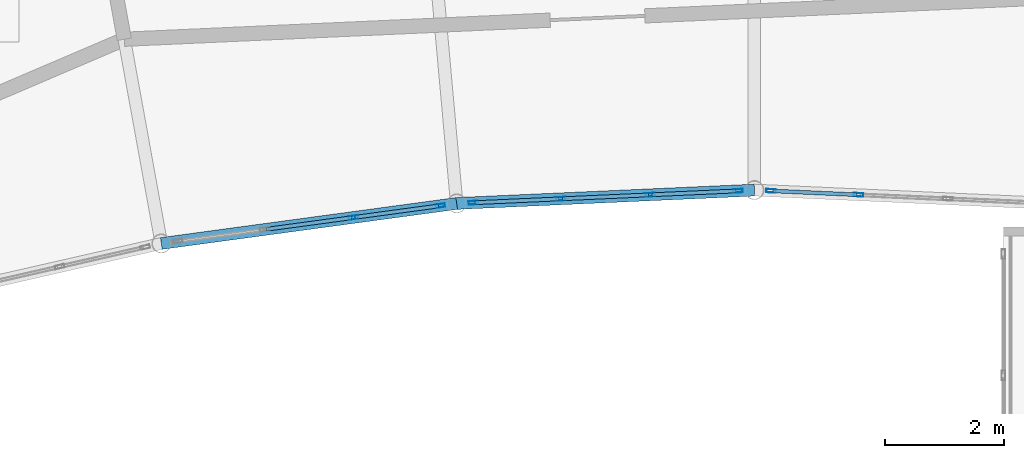
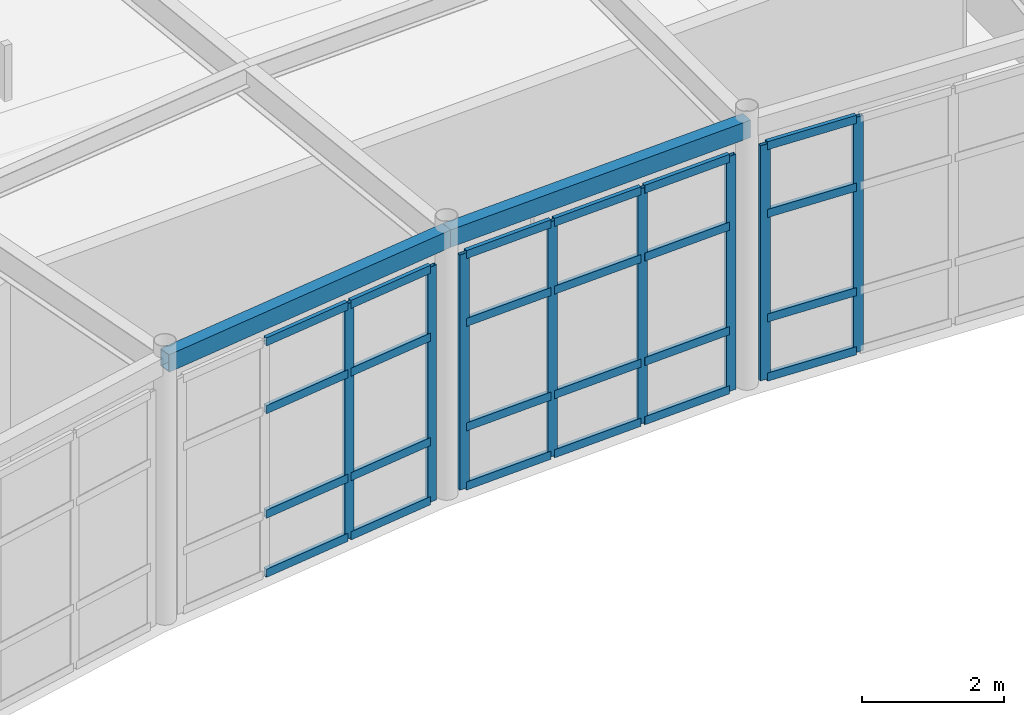
# One storey, part 62 of 105: 32 members, 2 beams, 3 elements without a shape of their own.
"""IFC4 building model written with IfcOpenShell, lengths in metres."""

from ifc_helpers import new_model, si_unit, direction, frame, origin, origin_2d, place, context, subcontext, project, spatial, hollow_rectangle, extrude, material, layer, layer_set, material_profile, profile_set, type_object, element, aggregate, save


model = new_model("IFC4")

# Units and contexts
model_context = context("Model", 3, precision=1e-05, world=origin(), true_north=direction((0.0, 1.0)))
body_context = subcontext(model_context, "Body", "Model", "MODEL_VIEW")
ifc_project = project(units=[si_unit("LENGTHUNIT", "METRE"), si_unit("AREAUNIT", "SQUARE_METRE"), si_unit("VOLUMEUNIT", "CUBIC_METRE"), si_unit("PLANEANGLEUNIT", "RADIAN"), si_unit("MASSUNIT", "GRAM", prefix="KILO")], contexts=[model_context])

# Site, building, storey
site_placement = place(None, origin())
site = spatial("IfcSite", under=ifc_project, at=site_placement, CompositionType="ELEMENT")
building_placement = place(site_placement, origin())
building = spatial("IfcBuilding", under=site, at=building_placement, Name="Selat Folded Stagehouse", CompositionType="ELEMENT")
storey_placement = place(building_placement, frame((0.0, 0.0, 10.199951171875)))
storey = spatial("IfcBuildingStorey", under=building, at=storey_placement, Name="L02", CompositionType="ELEMENT", Elevation=10.199951171875)

# Curtain wall, members
ifc_material_1 = material(Name="Aluminium 6063-T6", Category="aluminium")
ifc_layer = layer(ifc_material_1, 0.18994140625)
ifc_layer_set = layer_set([ifc_layer], Name="Aluminium 6063-T6")
curtain_wall_type = type_object("IfcCurtainWallType", Name="CW-REH-ARC", PredefinedType="NOTDEFINED", material=ifc_layer_set)
curtain_wall_1_placement = place(storey_placement, origin())
curtain_wall_1 = element("IfcCurtainWall", 1, at=curtain_wall_1_placement, inside=storey, type_object=curtain_wall_type, Name="L02 curtain wall CW-REH-L02-05", PredefinedType="NOTDEFINED")
ifc_material_profile_1 = material_profile(ifc_material_1, hollow_rectangle(XDim=0.06005859375, YDim=0.159912109375, WallThickness=0.00390625, at=origin_2d()), Name="ALU 160x60x4.0")
ifc_profile_set_1 = profile_set([ifc_material_profile_1], Name="Aluminium 6063-T6")
member_type_1 = type_object("IfcMemberType", Name="CWM-MUL-160x60", PredefinedType="MULLION", material=ifc_profile_set_1)
member_1_placement = place(storey_placement, frame((87.102783203125, 93.737060546875, 0.0), z_axis=(0.0, 0.0, 1.0), x_axis=(0.134211766018, -0.990952673876, 0.0)))
member_1 = element("IfcMember", 2, at=member_1_placement, type_object=member_type_1, Name="CW-06 mullion 1", PredefinedType="MULLION", context=body_context, shape_type="SweptSolid", body=[
    extrude(hollow_rectangle(XDim=0.06005859375, YDim=0.159912109375, WallThickness=0.00390625, at=origin_2d()), origin(), (0.0, 0.0, 1.0), 4.050048828125),
])
member_2_placement = place(storey_placement, frame((85.637939453125, 93.53857421875, 0.0), z_axis=(0.0, 0.0, 1.0), x_axis=(0.134211766018, -0.990952673876, 0.0)))
member_2 = element("IfcMember", 3, at=member_2_placement, type_object=member_type_1, Name="CW-06 mullion 2", PredefinedType="MULLION", context=body_context, shape_type="SweptSolid", body=[
    extrude(hollow_rectangle(XDim=0.06005859375, YDim=0.159912109375, WallThickness=0.00390625, at=origin_2d()), origin(), (0.0, 0.0, 1.0), 4.050048828125),
])

curtain_wall_2_placement = place(storey_placement, origin())
curtain_wall_2 = element("IfcCurtainWall", 4, at=curtain_wall_2_placement, inside=storey, type_object=curtain_wall_type, Name="L02 curtain wall CW-REH-L02-06", PredefinedType="NOTDEFINED")
member_3_placement = place(storey_placement, frame((92.120361328125, 93.987548828125, 0.0), z_axis=(0.0, 0.0, 1.0), x_axis=(0.044862316478, -0.998993179436, 0.0)))
member_3 = element("IfcMember", 5, at=member_3_placement, type_object=member_type_1, Name="CW-06 mullion 1", PredefinedType="MULLION", context=body_context, shape_type="SweptSolid", body=[
    extrude(hollow_rectangle(XDim=0.06005859375, YDim=0.159912109375, WallThickness=0.00390625, at=origin_2d()), origin(), (0.0, 0.0, 1.0), 4.050048828125),
])
member_4_placement = place(storey_placement, frame((90.6435546875, 93.921142578125, 0.0), z_axis=(0.0, 0.0, 1.0), x_axis=(0.044862316478, -0.998993179436, 0.0)))
member_4 = element("IfcMember", 6, at=member_4_placement, type_object=member_type_1, Name="CW-06 mullion 2", PredefinedType="MULLION", context=body_context, shape_type="SweptSolid", body=[
    extrude(hollow_rectangle(XDim=0.06005859375, YDim=0.159912109375, WallThickness=0.00390625, at=origin_2d()), origin(), (0.0, 0.0, 1.0), 4.050048828125),
])
member_5_placement = place(storey_placement, frame((89.13671875, 93.853515625, 0.0), z_axis=(0.0, 0.0, 1.0), x_axis=(0.044862316478, -0.998993179436, 0.0)))
member_5 = element("IfcMember", 7, at=member_5_placement, type_object=member_type_1, Name="CW-06 mullion 3", PredefinedType="MULLION", context=body_context, shape_type="SweptSolid", body=[
    extrude(hollow_rectangle(XDim=0.06005859375, YDim=0.159912109375, WallThickness=0.00390625, at=origin_2d()), origin(), (0.0, 0.0, 1.0), 4.050048828125),
])
member_6_placement = place(storey_placement, frame((87.659912109375, 93.787109375, 0.0), z_axis=(0.0, 0.0, 1.0), x_axis=(0.044862316478, -0.998993179436, 0.0)))
member_6 = element("IfcMember", 8, at=member_6_placement, type_object=member_type_1, Name="CW-06 mullion 4", PredefinedType="MULLION", context=body_context, shape_type="SweptSolid", body=[
    extrude(hollow_rectangle(XDim=0.06005859375, YDim=0.159912109375, WallThickness=0.00390625, at=origin_2d()), origin(), (0.0, 0.0, 1.0), 4.050048828125),
])

curtain_wall_3_placement = place(storey_placement, origin())
curtain_wall_3 = element("IfcCurtainWall", 9, at=curtain_wall_3_placement, inside=storey, type_object=curtain_wall_type, Name="L02 curtain wall CW-REH-L02-07", PredefinedType="NOTDEFINED")
member_7_placement = place(storey_placement, frame((94.156494140625, 93.921142578125, 0.0), z_axis=(0.0, 0.0, 1.0), x_axis=(-0.044862316478, -0.998993179436, 0.0)))
member_7 = element("IfcMember", 10, at=member_7_placement, type_object=member_type_1, Name="CW-06 mullion 3", PredefinedType="MULLION", context=body_context, shape_type="SweptSolid", body=[
    extrude(hollow_rectangle(XDim=0.06005859375, YDim=0.159912109375, WallThickness=0.00390625, at=origin_2d()), origin(), (0.0, 0.0, 1.0), 4.050048828125),
])
member_8_placement = place(storey_placement, frame((92.6796875, 93.987548828125, 0.0), z_axis=(0.0, 0.0, 1.0), x_axis=(-0.044862316478, -0.998993179436, 0.0)))
member_8 = element("IfcMember", 11, at=member_8_placement, type_object=member_type_1, Name="CW-06 mullion 4", PredefinedType="MULLION", context=body_context, shape_type="SweptSolid", body=[
    extrude(hollow_rectangle(XDim=0.06005859375, YDim=0.159912109375, WallThickness=0.00390625, at=origin_2d()), origin(), (0.0, 0.0, 1.0), 4.050048828125),
])

# Member
ifc_material_profile_2 = material_profile(ifc_material_1, hollow_rectangle(XDim=0.06494140625, YDim=0.139892578125, WallThickness=0.00390625, at=origin_2d()), Name="ALU 140x65x4.0")
ifc_profile_set_2 = profile_set([ifc_material_profile_2], Name="Aluminium 6063-T6")
member_type_2 = type_object("IfcMemberType", Name="CWM-TRN-140x65", PredefinedType="USERDEFINED", material=ifc_profile_set_2)
member_9_placement = place(storey_placement, frame((87.072998046875, 93.73291015625, 0.032470703125), z_axis=(-0.990946066769, -0.134260540573, 0.0), x_axis=(0.134260540573, -0.990946066769, 0.0)))
member_9 = element("IfcMember", 12, at=member_9_placement, type_object=member_type_2, Name="CW-06 transom 1.1", ObjectType="TRANSOM", PredefinedType="USERDEFINED", context=body_context, shape_type="SweptSolid", body=[
    extrude(hollow_rectangle(XDim=0.06494140625, YDim=0.139892578125, WallThickness=0.00390625, at=origin_2d()), origin(), (0.0, 0.0, 1.0), 1.41845703125),
])

member_10_placement = place(storey_placement, frame((87.072998046875, 93.73291015625, 1.050048828125), z_axis=(-0.990946066769, -0.134260540573, 0.0), x_axis=(0.134260540573, -0.990946066769, 0.0)))
member_10 = element("IfcMember", 13, at=member_10_placement, type_object=member_type_2, Name="CW-06 transom 1.2", ObjectType="TRANSOM", PredefinedType="USERDEFINED", context=body_context, shape_type="SweptSolid", body=[
    extrude(hollow_rectangle(XDim=0.06494140625, YDim=0.139892578125, WallThickness=0.00390625, at=origin_2d()), origin(), (0.0, 0.0, 1.0), 1.41845703125),
])

member_11_placement = place(storey_placement, frame((87.072998046875, 93.73291015625, 2.85009765625), z_axis=(-0.990946066769, -0.134260540573, 0.0), x_axis=(0.134260540573, -0.990946066769, 0.0)))
member_11 = element("IfcMember", 14, at=member_11_placement, type_object=member_type_2, Name="CW-06 transom 1.3", ObjectType="TRANSOM", PredefinedType="USERDEFINED", context=body_context, shape_type="SweptSolid", body=[
    extrude(hollow_rectangle(XDim=0.06494140625, YDim=0.139892578125, WallThickness=0.00390625, at=origin_2d()), origin(), (0.0, 0.0, 1.0), 1.41845703125),
])

member_12_placement = place(storey_placement, frame((87.072998046875, 93.73291015625, 4.017578125), z_axis=(-0.990946066769, -0.134260540573, 0.0), x_axis=(0.134260540573, -0.990946066769, 0.0)))
member_12 = element("IfcMember", 15, at=member_12_placement, type_object=member_type_2, Name="CW-06 transom 1.4", ObjectType="TRANSOM", PredefinedType="USERDEFINED", context=body_context, shape_type="SweptSolid", body=[
    extrude(hollow_rectangle(XDim=0.06494140625, YDim=0.139892578125, WallThickness=0.00390625, at=origin_2d()), origin(), (0.0, 0.0, 1.0), 1.41845703125),
])

member_13_placement = place(storey_placement, frame((85.608154296875, 93.534423828125, 0.032470703125), z_axis=(-0.990957936125, -0.134172906473, 0.0), x_axis=(0.134172906473, -0.990957936125, 0.0)))
member_13 = element("IfcMember", 16, at=member_13_placement, type_object=member_type_2, Name="CW-06 transom 2.1", ObjectType="TRANSOM", PredefinedType="USERDEFINED", context=body_context, shape_type="SweptSolid", body=[
    extrude(hollow_rectangle(XDim=0.06494140625, YDim=0.139892578125, WallThickness=0.00390625, at=origin_2d()), origin(), (0.0, 0.0, 1.0), 1.448486328125),
])

member_14_placement = place(storey_placement, frame((85.608154296875, 93.534423828125, 1.050048828125), z_axis=(-0.990957936125, -0.134172906473, 0.0), x_axis=(0.134172906473, -0.990957936125, 0.0)))
member_14 = element("IfcMember", 17, at=member_14_placement, type_object=member_type_2, Name="CW-06 transom 2.2", ObjectType="TRANSOM", PredefinedType="USERDEFINED", context=body_context, shape_type="SweptSolid", body=[
    extrude(hollow_rectangle(XDim=0.06494140625, YDim=0.139892578125, WallThickness=0.00390625, at=origin_2d()), origin(), (0.0, 0.0, 1.0), 1.448486328125),
])

member_15_placement = place(storey_placement, frame((85.608154296875, 93.534423828125, 2.85009765625), z_axis=(-0.990957936125, -0.134172906473, 0.0), x_axis=(0.134172906473, -0.990957936125, 0.0)))
member_15 = element("IfcMember", 18, at=member_15_placement, type_object=member_type_2, Name="CW-06 transom 2.3", ObjectType="TRANSOM", PredefinedType="USERDEFINED", context=body_context, shape_type="SweptSolid", body=[
    extrude(hollow_rectangle(XDim=0.06494140625, YDim=0.139892578125, WallThickness=0.00390625, at=origin_2d()), origin(), (0.0, 0.0, 1.0), 1.448486328125),
])

member_16_placement = place(storey_placement, frame((85.608154296875, 93.534423828125, 4.017578125), z_axis=(-0.990957936125, -0.134172906473, 0.0), x_axis=(0.134172906473, -0.990957936125, 0.0)))
member_16 = element("IfcMember", 19, at=member_16_placement, type_object=member_type_2, Name="CW-06 transom 2.4", ObjectType="TRANSOM", PredefinedType="USERDEFINED", context=body_context, shape_type="SweptSolid", body=[
    extrude(hollow_rectangle(XDim=0.06494140625, YDim=0.139892578125, WallThickness=0.00390625, at=origin_2d()), origin(), (0.0, 0.0, 1.0), 1.448486328125),
])

aggregate(curtain_wall_1, [member_1, member_2, member_9, member_10, member_11, member_12, member_13, member_14, member_15, member_16])

member_17_placement = place(storey_placement, frame((92.09033203125, 93.986083984375, 0.032470703125), z_axis=(-0.998990078576, -0.044931313202, 0.0), x_axis=(0.044931313202, -0.998990078576, 0.0)))
member_17 = element("IfcMember", 20, at=member_17_placement, type_object=member_type_2, Name="CW-06 transom 1.1", ObjectType="TRANSOM", PredefinedType="USERDEFINED", context=body_context, shape_type="SweptSolid", body=[
    extrude(hollow_rectangle(XDim=0.06494140625, YDim=0.139892578125, WallThickness=0.00390625, at=origin_2d()), origin(), (0.0, 0.0, 1.0), 1.418212890625),
])

member_18_placement = place(storey_placement, frame((92.09033203125, 93.986083984375, 1.050048828125), z_axis=(-0.998990078576, -0.044931313202, 0.0), x_axis=(0.044931313202, -0.998990078576, 0.0)))
member_18 = element("IfcMember", 21, at=member_18_placement, type_object=member_type_2, Name="CW-06 transom 1.2", ObjectType="TRANSOM", PredefinedType="USERDEFINED", context=body_context, shape_type="SweptSolid", body=[
    extrude(hollow_rectangle(XDim=0.06494140625, YDim=0.139892578125, WallThickness=0.00390625, at=origin_2d()), origin(), (0.0, 0.0, 1.0), 1.418212890625),
])

member_19_placement = place(storey_placement, frame((92.09033203125, 93.986083984375, 2.85009765625), z_axis=(-0.998990078576, -0.044931313202, 0.0), x_axis=(0.044931313202, -0.998990078576, 0.0)))
member_19 = element("IfcMember", 22, at=member_19_placement, type_object=member_type_2, Name="CW-06 transom 1.3", ObjectType="TRANSOM", PredefinedType="USERDEFINED", context=body_context, shape_type="SweptSolid", body=[
    extrude(hollow_rectangle(XDim=0.06494140625, YDim=0.139892578125, WallThickness=0.00390625, at=origin_2d()), origin(), (0.0, 0.0, 1.0), 1.418212890625),
])

member_20_placement = place(storey_placement, frame((92.09033203125, 93.986083984375, 4.017578125), z_axis=(-0.998990078576, -0.044931313202, 0.0), x_axis=(0.044931313202, -0.998990078576, 0.0)))
member_20 = element("IfcMember", 23, at=member_20_placement, type_object=member_type_2, Name="CW-06 transom 1.4", ObjectType="TRANSOM", PredefinedType="USERDEFINED", context=body_context, shape_type="SweptSolid", body=[
    extrude(hollow_rectangle(XDim=0.06494140625, YDim=0.139892578125, WallThickness=0.00390625, at=origin_2d()), origin(), (0.0, 0.0, 1.0), 1.418212890625),
])

member_21_placement = place(storey_placement, frame((90.613525390625, 93.919677734375, 0.032470703125), z_axis=(-0.998994101144, -0.044841787193, 0.0), x_axis=(0.044841787193, -0.998994101144, 0.0)))
member_21 = element("IfcMember", 24, at=member_21_placement, type_object=member_type_2, Name="CW-06 transom 2.1", ObjectType="TRANSOM", PredefinedType="USERDEFINED", context=body_context, shape_type="SweptSolid", body=[
    extrude(hollow_rectangle(XDim=0.06494140625, YDim=0.139892578125, WallThickness=0.00390625, at=origin_2d()), origin(), (0.0, 0.0, 1.0), 1.4482421875),
])

member_22_placement = place(storey_placement, frame((90.613525390625, 93.919677734375, 1.050048828125), z_axis=(-0.998994101144, -0.044841787193, 0.0), x_axis=(0.044841787193, -0.998994101144, 0.0)))
member_22 = element("IfcMember", 25, at=member_22_placement, type_object=member_type_2, Name="CW-06 transom 2.2", ObjectType="TRANSOM", PredefinedType="USERDEFINED", context=body_context, shape_type="SweptSolid", body=[
    extrude(hollow_rectangle(XDim=0.06494140625, YDim=0.139892578125, WallThickness=0.00390625, at=origin_2d()), origin(), (0.0, 0.0, 1.0), 1.4482421875),
])

member_23_placement = place(storey_placement, frame((90.613525390625, 93.919677734375, 2.85009765625), z_axis=(-0.998994101144, -0.044841787193, 0.0), x_axis=(0.044841787193, -0.998994101144, 0.0)))
member_23 = element("IfcMember", 26, at=member_23_placement, type_object=member_type_2, Name="CW-06 transom 2.3", ObjectType="TRANSOM", PredefinedType="USERDEFINED", context=body_context, shape_type="SweptSolid", body=[
    extrude(hollow_rectangle(XDim=0.06494140625, YDim=0.139892578125, WallThickness=0.00390625, at=origin_2d()), origin(), (0.0, 0.0, 1.0), 1.4482421875),
])

member_24_placement = place(storey_placement, frame((90.613525390625, 93.919677734375, 4.017578125), z_axis=(-0.998994101144, -0.044841787193, 0.0), x_axis=(0.044841787193, -0.998994101144, 0.0)))
member_24 = element("IfcMember", 27, at=member_24_placement, type_object=member_type_2, Name="CW-06 transom 2.4", ObjectType="TRANSOM", PredefinedType="USERDEFINED", context=body_context, shape_type="SweptSolid", body=[
    extrude(hollow_rectangle(XDim=0.06494140625, YDim=0.139892578125, WallThickness=0.00390625, at=origin_2d()), origin(), (0.0, 0.0, 1.0), 1.4482421875),
])

member_25_placement = place(storey_placement, frame((89.106689453125, 93.85205078125, 0.032470703125), z_axis=(-0.998997791005, -0.044759508127, 0.0), x_axis=(0.044759508127, -0.998997791005, 0.0)))
member_25 = element("IfcMember", 28, at=member_25_placement, type_object=member_type_2, Name="CW-06 transom 3.1", ObjectType="TRANSOM", PredefinedType="USERDEFINED", context=body_context, shape_type="SweptSolid", body=[
    extrude(hollow_rectangle(XDim=0.06494140625, YDim=0.139892578125, WallThickness=0.00390625, at=origin_2d()), origin(), (0.0, 0.0, 1.0), 1.418212890625),
])

member_26_placement = place(storey_placement, frame((89.106689453125, 93.85205078125, 1.050048828125), z_axis=(-0.998997791005, -0.044759508127, 0.0), x_axis=(0.044759508127, -0.998997791005, 0.0)))
member_26 = element("IfcMember", 29, at=member_26_placement, type_object=member_type_2, Name="CW-06 transom 3.2", ObjectType="TRANSOM", PredefinedType="USERDEFINED", context=body_context, shape_type="SweptSolid", body=[
    extrude(hollow_rectangle(XDim=0.06494140625, YDim=0.139892578125, WallThickness=0.00390625, at=origin_2d()), origin(), (0.0, 0.0, 1.0), 1.418212890625),
])

member_27_placement = place(storey_placement, frame((89.106689453125, 93.85205078125, 2.85009765625), z_axis=(-0.998997791005, -0.044759508127, 0.0), x_axis=(0.044759508127, -0.998997791005, 0.0)))
member_27 = element("IfcMember", 30, at=member_27_placement, type_object=member_type_2, Name="CW-06 transom 3.3", ObjectType="TRANSOM", PredefinedType="USERDEFINED", context=body_context, shape_type="SweptSolid", body=[
    extrude(hollow_rectangle(XDim=0.06494140625, YDim=0.139892578125, WallThickness=0.00390625, at=origin_2d()), origin(), (0.0, 0.0, 1.0), 1.418212890625),
])

member_28_placement = place(storey_placement, frame((89.106689453125, 93.85205078125, 4.017578125), z_axis=(-0.998997791005, -0.044759508127, 0.0), x_axis=(0.044759508127, -0.998997791005, 0.0)))
member_28 = element("IfcMember", 31, at=member_28_placement, type_object=member_type_2, Name="CW-06 transom 3.4", ObjectType="TRANSOM", PredefinedType="USERDEFINED", context=body_context, shape_type="SweptSolid", body=[
    extrude(hollow_rectangle(XDim=0.06494140625, YDim=0.139892578125, WallThickness=0.00390625, at=origin_2d()), origin(), (0.0, 0.0, 1.0), 1.418212890625),
])

aggregate(curtain_wall_2, [member_3, member_4, member_5, member_6, member_17, member_18, member_19, member_20, member_21, member_22, member_23, member_24, member_25, member_26, member_27, member_28])

member_29_placement = place(storey_placement, frame((94.12646484375, 93.92236328125, 0.032470703125), z_axis=(-0.998990078576, 0.044931313202, 0.0), x_axis=(-0.044931313202, -0.998990078576, 0.0)))
member_29 = element("IfcMember", 32, at=member_29_placement, type_object=member_type_2, Name="CW-06 transom 3.1", ObjectType="TRANSOM", PredefinedType="USERDEFINED", context=body_context, shape_type="SweptSolid", body=[
    extrude(hollow_rectangle(XDim=0.06494140625, YDim=0.139892578125, WallThickness=0.00390625, at=origin_2d()), origin(), (0.0, 0.0, 1.0), 1.418212890625),
])

member_30_placement = place(storey_placement, frame((94.12646484375, 93.92236328125, 1.050048828125), z_axis=(-0.998990078576, 0.044931313202, 0.0), x_axis=(-0.044931313202, -0.998990078576, 0.0)))
member_30 = element("IfcMember", 33, at=member_30_placement, type_object=member_type_2, Name="CW-06 transom 3.2", ObjectType="TRANSOM", PredefinedType="USERDEFINED", context=body_context, shape_type="SweptSolid", body=[
    extrude(hollow_rectangle(XDim=0.06494140625, YDim=0.139892578125, WallThickness=0.00390625, at=origin_2d()), origin(), (0.0, 0.0, 1.0), 1.418212890625),
])

member_31_placement = place(storey_placement, frame((94.12646484375, 93.92236328125, 2.85009765625), z_axis=(-0.998990078576, 0.044931313202, 0.0), x_axis=(-0.044931313202, -0.998990078576, 0.0)))
member_31 = element("IfcMember", 34, at=member_31_placement, type_object=member_type_2, Name="CW-06 transom 3.3", ObjectType="TRANSOM", PredefinedType="USERDEFINED", context=body_context, shape_type="SweptSolid", body=[
    extrude(hollow_rectangle(XDim=0.06494140625, YDim=0.139892578125, WallThickness=0.00390625, at=origin_2d()), origin(), (0.0, 0.0, 1.0), 1.418212890625),
])

member_32_placement = place(storey_placement, frame((94.12646484375, 93.92236328125, 4.017578125), z_axis=(-0.998990078576, 0.044931313202, 0.0), x_axis=(-0.044931313202, -0.998990078576, 0.0)))
member_32 = element("IfcMember", 35, at=member_32_placement, type_object=member_type_2, Name="CW-06 transom 3.4", ObjectType="TRANSOM", PredefinedType="USERDEFINED", context=body_context, shape_type="SweptSolid", body=[
    extrude(hollow_rectangle(XDim=0.06494140625, YDim=0.139892578125, WallThickness=0.00390625, at=origin_2d()), origin(), (0.0, 0.0, 1.0), 1.418212890625),
])

aggregate(curtain_wall_3, [member_7, member_8, member_29, member_30, member_31, member_32])

# Beams
ifc_material_2 = material(Name="Steel S355", Category="steel")
ifc_material_profile_3 = material_profile(ifc_material_2, hollow_rectangle(XDim=0.199951171875, YDim=0.300048828125, WallThickness=0.012451171875, at=origin_2d()), Name="RHS 300x200x12.5")
ifc_profile_set_3 = profile_set([ifc_material_profile_3], Name="Steel S355")
beam_type = type_object("IfcBeamType", Name="SPD-RHS-300x200", PredefinedType="SPANDREL", material=ifc_profile_set_3)
beam_1_placement = place(storey_placement, frame((82.40087890625, 93.10009765625, 4.449951171875), z_axis=(0.9909477611, 0.134248034514, 0.0), x_axis=(-0.134248034514, 0.9909477611, 0.0)))
element("IfcBeam", 36, at=beam_1_placement, inside=storey, type_object=beam_type, Name="L02 inner curved rehearsal spandrel 6", PredefinedType="SPANDREL", context=body_context, shape_type="SweptSolid", body=[
    extrude(hollow_rectangle(XDim=0.199951171875, YDim=0.300048828125, WallThickness=0.012451171875, at=origin_2d()), origin(), (0.0, 0.0, 1.0), 5.024658203125),
])
beam_2_placement = place(storey_placement, frame((87.380126953125, 93.774658203125, 4.449951171875), z_axis=(0.998993927779, 0.044845649304, 0.0), x_axis=(-0.044845649304, 0.998993927779, 0.0)))
element("IfcBeam", 37, at=beam_2_placement, inside=storey, type_object=beam_type, Name="L02 inner curved rehearsal spandrel 7", PredefinedType="SPANDREL", context=body_context, shape_type="SweptSolid", body=[
    extrude(hollow_rectangle(XDim=0.199951171875, YDim=0.300048828125, WallThickness=0.012451171875, at=origin_2d()), origin(), (0.0, 0.0, 1.0), 5.02490234375),
])

save(model, "model.ifc")
